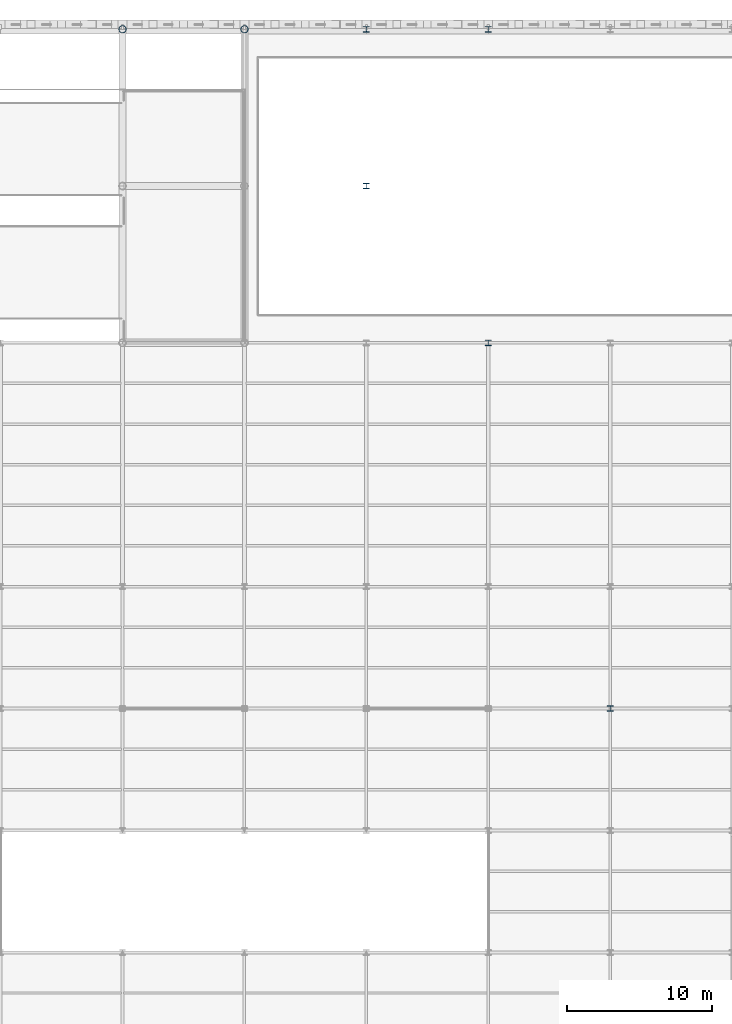
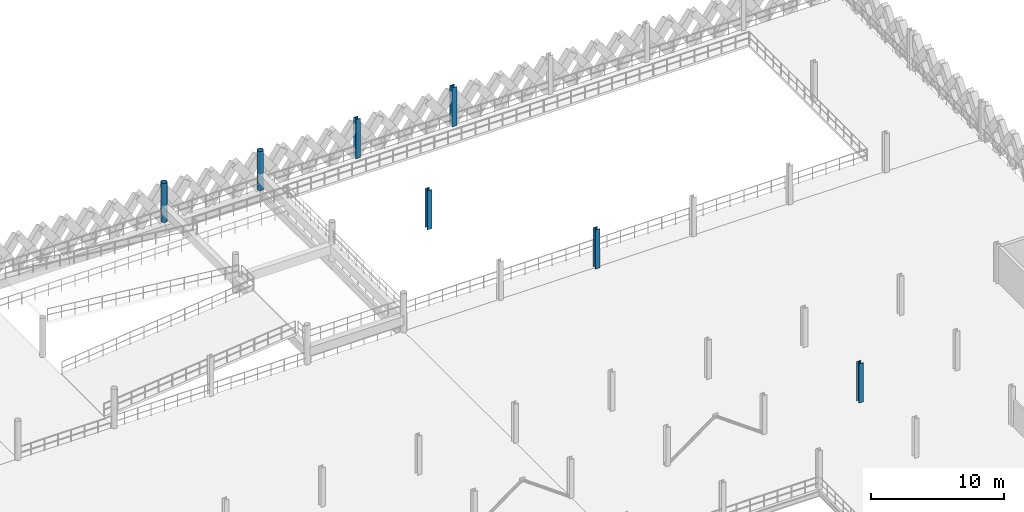
# One storey, part 12 of 101: 7 columns.
"""IFC4 building model written with IfcOpenShell, lengths in metres."""

from ifc_helpers import new_model, si_unit, direction, frame, origin, origin_2d, place, context, subcontext, project, spatial, hollow_circle, i_section, extrude, material, material_profile, profile_set, type_object, element, save


model = new_model("IFC4")

# Units and contexts
model_context = context("Model", 3, precision=1e-05, world=origin(), true_north=direction((0.0, 1.0)))
body_context = subcontext(model_context, "Body", "Model", "MODEL_VIEW")
ifc_project = project(units=[si_unit("LENGTHUNIT", "METRE"), si_unit("AREAUNIT", "SQUARE_METRE"), si_unit("VOLUMEUNIT", "CUBIC_METRE"), si_unit("PLANEANGLEUNIT", "RADIAN"), si_unit("MASSUNIT", "GRAM", prefix="KILO"), si_unit("THERMODYNAMICTEMPERATUREUNIT", "KELVIN"), si_unit("POWERUNIT", "WATT")], contexts=[model_context])

# Site, building, storey
site_placement = place(None, origin())
site = spatial("IfcSite", under=ifc_project, at=site_placement, CompositionType="ELEMENT")
building_placement = place(site_placement, origin())
building = spatial("IfcBuilding", under=site, at=building_placement, Name="Tembeka Court Mobility Hub", CompositionType="ELEMENT")
storey_placement = place(building_placement, frame((0.0, 0.0, 5.39990234375)))
storey = spatial("IfcBuildingStorey", under=building, at=storey_placement, Name="L01", CompositionType="ELEMENT", Elevation=5.39990234375)

# Columns
ifc_material = material(Name="Steel S355", Category="steel")
ifc_material_profile_1 = material_profile(ifc_material, i_section(OverallWidth=0.39501953125, OverallDepth=0.381103515625, WebThickness=0.018310546875, FlangeThickness=0.0302734375, FilletRadius=0.01513671875, at=origin_2d()), Name="UKC 356x406x235")
ifc_profile_set_1 = profile_set([ifc_material_profile_1], Name="Steel S355")
column_type_1 = type_object("IfcColumnType", Name="COL-C02", PredefinedType="COLUMN", material=ifc_profile_set_1)
for number, where, z_axis, x_axis, name in (
    (1, (50.39990234375, 108.0, 0.0), (0.0, 0.0, 1.0), (1.0, 0.0, 0.0), "Column C02 (L01-081)"),
    (2, (50.39990234375, 118.800048828125, 0.0), (0.0, 0.0, 1.0), (1.0, 0.0, 0.0), "Column C02 (L01-082)"),
    (3, (58.800048828125, 97.199951171875, 0.0), (0.0, 0.0, 1.0), (1.0, 0.0, 0.0), "Column C02 (L01-091)"),
    (4, (58.800048828125, 118.800048828125, 0.0), (0.0, 0.0, 1.0), (1.0, 0.0, 0.0), "Column C02 (L01-092)"),
    (5, (67.199951171875, 72.0, 0.0), (0.0, 0.0, 1.0), (1.0, 0.0, 0.0), "Column C02 (L01-099)"),
):
    element("IfcColumn", number, at=place(storey_placement, frame(where, z_axis=z_axis, x_axis=x_axis)), inside=storey, type_object=column_type_1, Name=name, PredefinedType="COLUMN", context=body_context, shape_type="SweptSolid", body=[
        extrude(i_section(OverallWidth=0.39501953125, OverallDepth=0.381103515625, WebThickness=0.018310546875, FlangeThickness=0.0302734375, FilletRadius=0.01513671875, at=origin_2d()), origin(), (0.0, 0.0, 1.0), 3.60009765625),
    ])
ifc_material_profile_2 = material_profile(ifc_material, hollow_circle(Radius=0.25390625, WallThickness=0.01611328125, at=origin_2d()), Name="CHS 508x16")
ifc_profile_set_2 = profile_set([ifc_material_profile_2], Name="Steel S355")
column_type_2 = type_object("IfcColumnType", Name="COL-C08", PredefinedType="COLUMN", material=ifc_profile_set_2)
for number, where, z_axis, x_axis, name in (
    (6, (33.60009765625, 118.800048828125, 0.0), (0.0, 0.0, 1.0), (1.0, 0.0, 0.0), "Column C08 (L01-058)"),
    (7, (42.0, 118.800048828125, 0.0), (0.0, 0.0, 1.0), (1.0, 0.0, 0.0), "Column C08 (L01-070)"),
):
    element("IfcColumn", number, at=place(storey_placement, frame(where, z_axis=z_axis, x_axis=x_axis)), inside=storey, type_object=column_type_2, Name=name, PredefinedType="COLUMN", context=body_context, shape_type="SweptSolid", body=[
        extrude(hollow_circle(Radius=0.25390625, WallThickness=0.01611328125, at=origin_2d()), origin(), (0.0, 0.0, 1.0), 3.60009765625),
    ])

save(model, "model.ifc")
